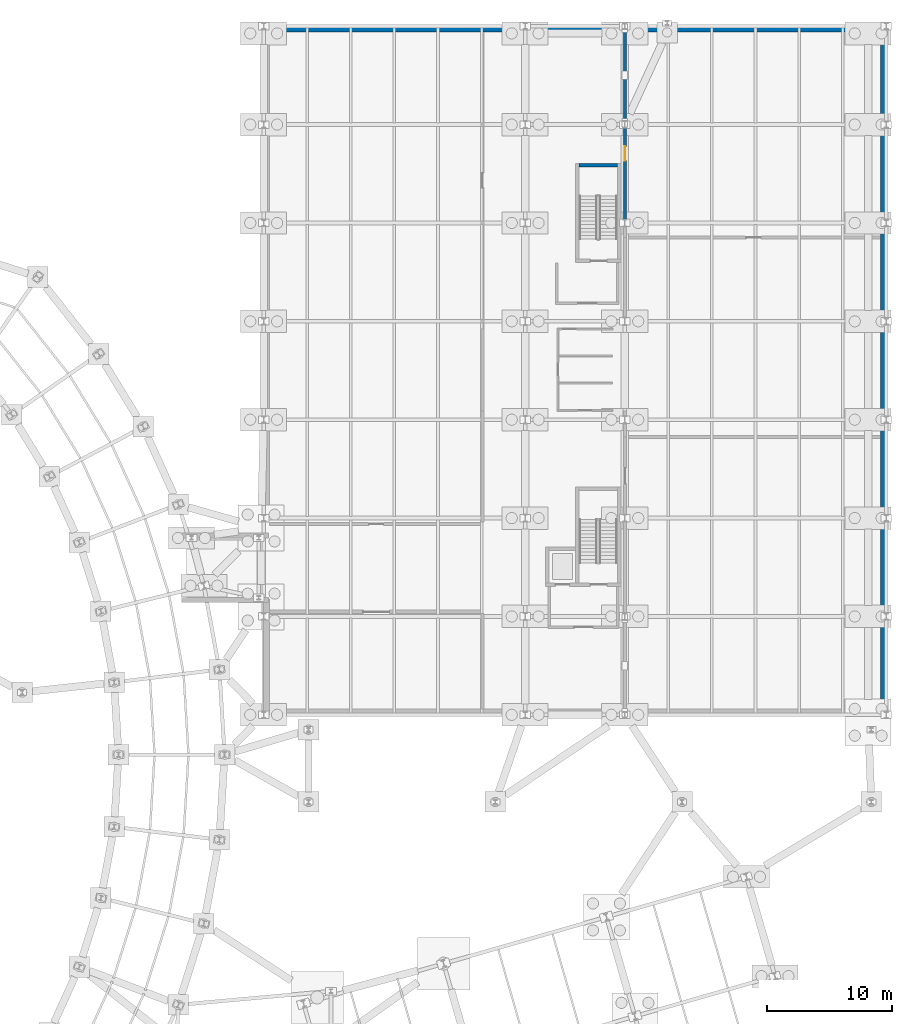
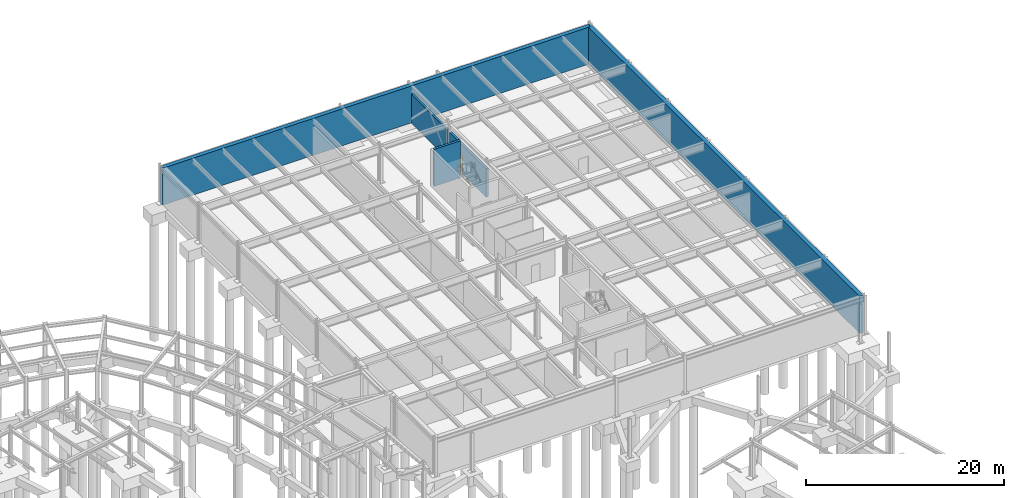
# One storey, part 45 of 50: 5 walls, 1 door, 1 opening.
"""IFC4 building model written with IfcOpenShell, lengths in metres."""

from ifc_helpers import new_model, si_unit, direction, frame, frame_2d, origin, place, context, subcontext, project, spatial, rectangle, extrude, material, layer, layer_set, type_object, element, fill, save


model = new_model("IFC4")

# Units and contexts
model_context = context("Model", 3, precision=1e-05, world=origin(), true_north=direction((0.0, 1.0)))
body_context = subcontext(model_context, "Body", "Model", "MODEL_VIEW")
ifc_project = project(units=[si_unit("LENGTHUNIT", "METRE"), si_unit("AREAUNIT", "SQUARE_METRE"), si_unit("VOLUMEUNIT", "CUBIC_METRE"), si_unit("PLANEANGLEUNIT", "RADIAN"), si_unit("MASSUNIT", "GRAM", prefix="KILO")], contexts=[model_context])

# Site, building, storey
site_placement = place(None, origin())
site = spatial("IfcSite", under=ifc_project, at=site_placement, CompositionType="ELEMENT")
building_placement = place(site_placement, origin())
building = spatial("IfcBuilding", under=site, at=building_placement, Name="Varnklinge Art Gallery", CompositionType="ELEMENT")
storey_placement = place(building_placement, frame((0.0, 0.0, -4.800048828125)))
storey = spatial("IfcBuildingStorey", under=building, at=storey_placement, Name="B01", CompositionType="ELEMENT", Elevation=-4.800048828125)

# Wall, opening, door
ifc_material_1 = material(Name="Concrete C40/50", Category="concrete")
ifc_layer_1 = layer(ifc_material_1, 0.239990234375)
ifc_layer_set_1 = layer_set([ifc_layer_1], Name="Concrete C40/50")
wall_type_1 = type_object("IfcWallType", Name="IW-24", PredefinedType="PARTITIONING", material=ifc_layer_set_1)
wall_1_placement = place(storey_placement, frame((143.429931640625, 105.362060546875, 0.0), z_axis=(0.0, 0.0, 1.0), x_axis=(0.0, -1.0, 0.0)))
wall_1 = element("IfcWall", 1, at=wall_1_placement, inside=storey, type_object=wall_type_1, Name="B01 Partition Wall IW-B01-0014", PredefinedType="PARTITIONING", context=body_context, shape_type="SweptSolid", body=[
    extrude(rectangle(XDim=7.424072265625, YDim=0.239990234375, at=frame_2d((3.7119140625, 0.0))), origin(), (0.0, 0.0, 1.0), 3.530029296875),
])
opening_placement = place(wall_1_placement, frame((1.50390625, 0.0, 0.0)))
opening = element("IfcOpeningElement", 2, at=opening_placement, cuts=wall_1, Name="Opening D-B01-122", PredefinedType="OPENING", context=body_context, shape_type="SweptSolid", body=[
    extrude(rectangle(XDim=1.14990234375, YDim=2.14990234375, at=frame_2d((0.574951171875, 1.074951171875))), frame((0.0, 0.130126953125, 0.0), z_axis=(0.0, -1.0, 0.0), x_axis=(1.0, 0.0, 0.0)), (0.0, 0.0, 1.0), 0.260009765625),
])
ifc_material_2 = material(Name="Galvanised Fire-Rated Steel", Category="steel")
door_type = type_object("IfcDoorType", Name="ID-05", OperationType="SINGLE_SWING_LEFT", PredefinedType="DOOR", material=ifc_material_2)
door_placement = place(opening_placement, origin())
door = element("IfcDoor", 3, at=door_placement, inside=storey, type_object=door_type, Name="B01 B01 Sprinkler Tank Room and Water Mist Plant Door D-B01-122", OperationType="SINGLE_SWING_RIGHT", OverallHeight=2.14990234375, OverallWidth=1.14990234375, PredefinedType="DOOR", context=body_context, shape_type="SweptSolid", body=[
    extrude(rectangle(XDim=1.14990234375, YDim=2.14990234375, at=frame_2d((0.574951171875, 1.074951171875))), frame((0.0, 0.02490234375, 0.0), z_axis=(0.0, -1.0, 0.0), x_axis=(1.0, 0.0, 0.0)), (0.0, 0.0, 1.0), 0.050048828125),
])
fill(opening, door)

# Walls
wall_2_placement = place(storey_placement, frame((143.429931640625, 113.035888671875, 0.0), z_axis=(0.0, 0.0, 1.0), x_axis=(0.0, -1.0, 0.0)))
element("IfcWall", 4, at=wall_2_placement, inside=storey, type_object=wall_type_1, Name="B01 Partition Wall IW-B01-0015", PredefinedType="PARTITIONING", context=body_context, shape_type="SweptSolid", body=[
    extrude(rectangle(XDim=7.197998046875, YDim=0.239990234375, at=frame_2d((3.59912109375, 0.0))), origin(), (0.0, 0.0, 1.0), 3.530029296875),
])
ifc_material_3 = material(Name="Concrete C40/50", Category="concrete")
ifc_layer_2 = layer(ifc_material_3, 0.4599609375)
ifc_layer_set_2 = layer_set([ifc_layer_2], Name="Concrete C40/50")
wall_type_2 = type_object("IfcWallType", Name="RW-46", PredefinedType="USERDEFINED", material=ifc_layer_set_2)
wall_3_placement = place(storey_placement, frame((114.39990234375, 113.27001953125, 0.0), z_axis=(0.0, 0.0, 1.0), x_axis=(1.0, 0.0, 0.0)))
element("IfcWall", 5, at=wall_3_placement, inside=storey, type_object=wall_type_2, Name="B01 Exterior Wall RW-V1-B01-03", ObjectType="RETAINING WALL", PredefinedType="USERDEFINED", context=body_context, shape_type="SweptSolid", body=[
    extrude(rectangle(XDim=49.77001953125, YDim=0.4599609375, at=frame_2d((24.885009765625, 0.0))), origin(), (0.0, 0.0, 1.0), 4.550048828125),
])
wall_4_placement = place(storey_placement, frame((164.169921875, 113.5, 0.0), z_axis=(0.0, 0.0, 1.0), x_axis=(0.0, -1.0, 0.0)))
element("IfcWall", 6, at=wall_4_placement, inside=storey, type_object=wall_type_2, Name="B01 Exterior Wall RW-V1-B01-04", ObjectType="RETAINING WALL", PredefinedType="USERDEFINED", context=body_context, shape_type="SweptSolid", body=[
    extrude(rectangle(XDim=55.070068359375, YDim=0.4599609375, at=frame_2d((27.53515625, 0.0))), origin(), (0.0, 0.0, 1.0), 4.550048828125),
])
ifc_material_4 = material(Name="Concrete C40/50", Category="concrete")
ifc_layer_3 = layer(ifc_material_4, 0.280029296875)
ifc_layer_set_3 = layer_set([ifc_layer_3], Name="Concrete C40/50")
wall_type_3 = type_object("IfcWallType", Name="SW-28", PredefinedType="SHEAR", material=ifc_layer_set_3)
wall_5_placement = place(storey_placement, frame((142.81005859375, 102.35009765625, 0.0), z_axis=(0.0, 0.0, 1.0), x_axis=(-1.0, 0.0, 0.0)))
element("IfcWall", 7, at=wall_5_placement, inside=storey, type_object=wall_type_3, Name="B01 Core C7 East Shear Wall", PredefinedType="SHEAR", context=body_context, shape_type="SweptSolid", body=[
    extrude(rectangle(XDim=3.080078125, YDim=0.280029296875, at=frame_2d((1.5400390625, 0.0))), origin(), (0.0, 0.0, 1.0), 4.550048828125),
])

save(model, "model.ifc")
